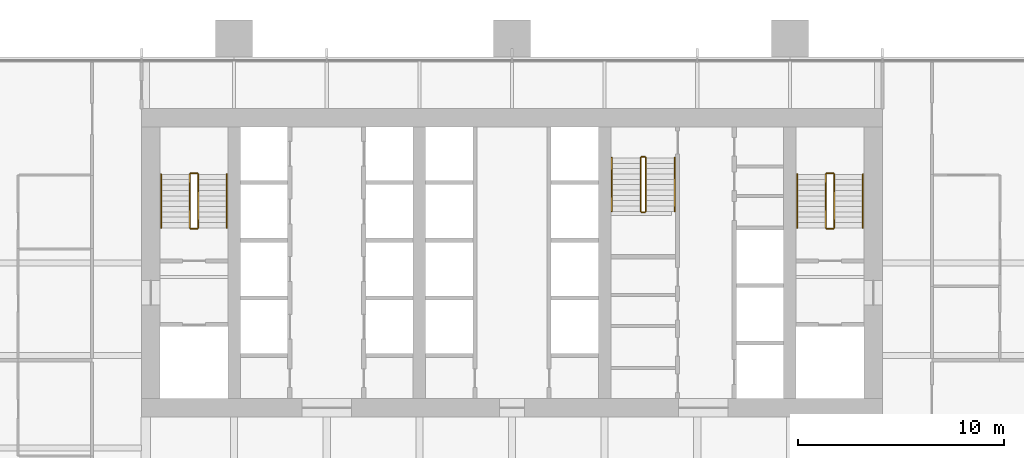
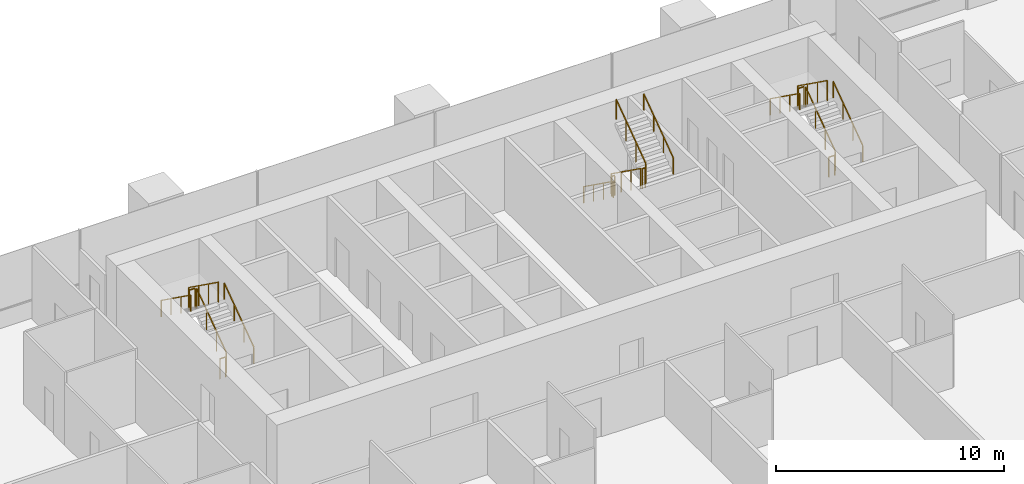
# One storey, part 17 of 17: 18 railings.
"""IFC4 building model written with IfcOpenShell, lengths in metres."""

from ifc_helpers import new_model, si_unit, direction, frame, origin, origin_2d, place, context, subcontext, project, spatial, rectangle, extrude, material, type_object, element, save


model = new_model("IFC4")

# Units and contexts
model_context = context("Model", 3, precision=1e-05, world=origin(), true_north=direction((0.0, 1.0)))
body_context = subcontext(model_context, "Body", "Model", "MODEL_VIEW")
ifc_project = project(units=[si_unit("LENGTHUNIT", "METRE"), si_unit("AREAUNIT", "SQUARE_METRE"), si_unit("VOLUMEUNIT", "CUBIC_METRE"), si_unit("PLANEANGLEUNIT", "RADIAN"), si_unit("MASSUNIT", "GRAM", prefix="KILO")], contexts=[model_context])

# Site, building, storey
site_placement = place(None, origin())
site = spatial("IfcSite", under=ifc_project, at=site_placement, CompositionType="ELEMENT")
building_placement = place(site_placement, origin())
building = spatial("IfcBuilding", under=site, at=building_placement, Name="Rattan Terrace Tower", CompositionType="ELEMENT")
storey_placement = place(building_placement, frame((0.0, 0.0, 61.10009765625)))
storey = spatial("IfcBuildingStorey", under=building, at=storey_placement, Name="L13", CompositionType="ELEMENT", Elevation=61.10009765625)

# Railings
ifc_material_1 = material(Name="Powder-coated steel guard", Category="steel")
railing_type_1 = type_object("IfcRailingType", Name="Core stair guard", PredefinedType="GUARDRAIL", material=ifc_material_1)
railing_1_placement = place(storey_placement, frame((-15.25, 1.699951171875, 0.186279296875)))
element("IfcRailing", 1, at=railing_1_placement, inside=storey, type_object=railing_type_1, Name="L13 S1 stair guard 1", PredefinedType="GUARDRAIL", context=body_context, shape_type="SweptSolid", body=[
    extrude(rectangle(XDim=0.048095703125, YDim=0.048095703125, at=origin_2d()), frame((0.0, 0.0, 1.076171875), z_axis=(0.0, 0.812799059333, 0.582544152102), x_axis=(-1.0, 0.0, 0.0)), (0.0, 0.0, 1.0), 3.198974609375),
    extrude(rectangle(XDim=0.0419921875, YDim=0.0419921875, at=origin_2d()), origin(), (0.0, 0.0, 1.0), 1.052001953125),
    extrude(rectangle(XDim=0.0419921875, YDim=0.0419921875, at=origin_2d()), frame((0.0, 0.86669921875, 0.62109375)), (0.0, 0.0, 1.0), 1.052001953125),
    extrude(rectangle(XDim=0.0419921875, YDim=0.0419921875, at=origin_2d()), frame((0.0, 1.7333984375, 1.242431640625)), (0.0, 0.0, 1.0), 1.052001953125),
    extrude(rectangle(XDim=0.0419921875, YDim=0.0419921875, at=origin_2d()), frame((0.0, 2.60009765625, 1.863525390625)), (0.0, 0.0, 1.0), 1.052001953125),
])
railing_2_placement = place(storey_placement, frame((-15.300048828125, 4.35009765625, 2.0498046875)))
element("IfcRailing", 2, at=railing_2_placement, inside=storey, type_object=railing_type_1, Name="L13 S1 stair guard 2", PredefinedType="GUARDRAIL", context=body_context, shape_type="SweptSolid", body=[
    extrude(rectangle(XDim=0.048095703125, YDim=0.048095703125, at=origin_2d()), frame((0.0, 0.0, 1.076171875), z_axis=(-1.0, 0.0, 0.0), x_axis=(0.0, -1.0, 0.0)), (0.0, 0.0, 1.0), 0.300048828125),
    extrude(rectangle(XDim=0.0419921875, YDim=0.0419921875, at=origin_2d()), origin(), (0.0, 0.0, 1.0), 1.052001953125),
    extrude(rectangle(XDim=0.0419921875, YDim=0.0419921875, at=origin_2d()), frame((-0.300048828125, 0.0, 0.0)), (0.0, 0.0, 1.0), 1.052001953125),
])
railing_3_placement = place(storey_placement, frame((-15.64990234375, 4.300048828125, 2.236328125)))
element("IfcRailing", 3, at=railing_3_placement, inside=storey, type_object=railing_type_1, Name="L13 S1 stair guard 3", PredefinedType="GUARDRAIL", context=body_context, shape_type="SweptSolid", body=[
    extrude(rectangle(XDim=0.048095703125, YDim=0.048095703125, at=origin_2d()), frame((0.0, 0.0, 1.076171875), z_axis=(0.0, -0.812799059333, 0.582544152102), x_axis=(1.0, 0.0, 0.0)), (0.0, 0.0, 1.0), 3.198974609375),
    extrude(rectangle(XDim=0.0419921875, YDim=0.0419921875, at=origin_2d()), origin(), (0.0, 0.0, 1.0), 1.052001953125),
    extrude(rectangle(XDim=0.0419921875, YDim=0.0419921875, at=origin_2d()), frame((0.0, -0.86669921875, 0.62109375)), (0.0, 0.0, 1.0), 1.052001953125),
    extrude(rectangle(XDim=0.0419921875, YDim=0.0419921875, at=origin_2d()), frame((0.0, -1.7333984375, 1.242431640625)), (0.0, 0.0, 1.0), 1.052001953125),
    extrude(rectangle(XDim=0.0419921875, YDim=0.0419921875, at=origin_2d()), frame((0.0, -2.60009765625, 1.863525390625)), (0.0, 0.0, 1.0), 1.052001953125),
])
railing_4_placement = place(storey_placement, frame((-15.300048828125, 1.64990234375, 0.0)))
element("IfcRailing", 4, at=railing_4_placement, inside=storey, type_object=railing_type_1, Name="L13 S1 stair guard 4", PredefinedType="GUARDRAIL", context=body_context, shape_type="SweptSolid", body=[
    extrude(rectangle(XDim=0.048095703125, YDim=0.048095703125, at=origin_2d()), frame((0.0, 0.0, 1.076171875), z_axis=(-1.0, 0.0, 0.0), x_axis=(0.0, -1.0, 0.0)), (0.0, 0.0, 1.0), 0.300048828125),
    extrude(rectangle(XDim=0.0419921875, YDim=0.0419921875, at=origin_2d()), origin(), (0.0, 0.0, 1.0), 1.052001953125),
    extrude(rectangle(XDim=0.0419921875, YDim=0.0419921875, at=origin_2d()), frame((-0.300048828125, 0.0, 0.0)), (0.0, 0.0, 1.0), 1.052001953125),
])
railing_5_placement = place(storey_placement, frame((15.64990234375, 1.699951171875, 0.186279296875)))
element("IfcRailing", 5, at=railing_5_placement, inside=storey, type_object=railing_type_1, Name="L13 S2 stair guard 1", PredefinedType="GUARDRAIL", context=body_context, shape_type="SweptSolid", body=[
    extrude(rectangle(XDim=0.048095703125, YDim=0.048095703125, at=origin_2d()), frame((0.0, 0.0, 1.076171875), z_axis=(0.0, 0.812799059333, 0.582544152102), x_axis=(-1.0, 0.0, 0.0)), (0.0, 0.0, 1.0), 3.198974609375),
    extrude(rectangle(XDim=0.0419921875, YDim=0.0419921875, at=origin_2d()), origin(), (0.0, 0.0, 1.0), 1.052001953125),
    extrude(rectangle(XDim=0.0419921875, YDim=0.0419921875, at=origin_2d()), frame((0.0, 0.86669921875, 0.62109375)), (0.0, 0.0, 1.0), 1.052001953125),
    extrude(rectangle(XDim=0.0419921875, YDim=0.0419921875, at=origin_2d()), frame((0.0, 1.7333984375, 1.242431640625)), (0.0, 0.0, 1.0), 1.052001953125),
    extrude(rectangle(XDim=0.0419921875, YDim=0.0419921875, at=origin_2d()), frame((0.0, 2.60009765625, 1.863525390625)), (0.0, 0.0, 1.0), 1.052001953125),
])
railing_6_placement = place(storey_placement, frame((15.60009765625, 4.35009765625, 2.0498046875)))
element("IfcRailing", 6, at=railing_6_placement, inside=storey, type_object=railing_type_1, Name="L13 S2 stair guard 2", PredefinedType="GUARDRAIL", context=body_context, shape_type="SweptSolid", body=[
    extrude(rectangle(XDim=0.048095703125, YDim=0.048095703125, at=origin_2d()), frame((0.0, 0.0, 1.076171875), z_axis=(-1.0, 0.0, 0.0), x_axis=(0.0, -1.0, 0.0)), (0.0, 0.0, 1.0), 0.300048828125),
    extrude(rectangle(XDim=0.0419921875, YDim=0.0419921875, at=origin_2d()), origin(), (0.0, 0.0, 1.0), 1.052001953125),
    extrude(rectangle(XDim=0.0419921875, YDim=0.0419921875, at=origin_2d()), frame((-0.300048828125, 0.0, 0.0)), (0.0, 0.0, 1.0), 1.052001953125),
])
railing_7_placement = place(storey_placement, frame((15.25, 4.300048828125, 2.236328125)))
element("IfcRailing", 7, at=railing_7_placement, inside=storey, type_object=railing_type_1, Name="L13 S2 stair guard 3", PredefinedType="GUARDRAIL", context=body_context, shape_type="SweptSolid", body=[
    extrude(rectangle(XDim=0.048095703125, YDim=0.048095703125, at=origin_2d()), frame((0.0, 0.0, 1.076171875), z_axis=(0.0, -0.812799059333, 0.582544152102), x_axis=(1.0, 0.0, 0.0)), (0.0, 0.0, 1.0), 3.198974609375),
    extrude(rectangle(XDim=0.0419921875, YDim=0.0419921875, at=origin_2d()), origin(), (0.0, 0.0, 1.0), 1.052001953125),
    extrude(rectangle(XDim=0.0419921875, YDim=0.0419921875, at=origin_2d()), frame((0.0, -0.86669921875, 0.62109375)), (0.0, 0.0, 1.0), 1.052001953125),
    extrude(rectangle(XDim=0.0419921875, YDim=0.0419921875, at=origin_2d()), frame((0.0, -1.7333984375, 1.242431640625)), (0.0, 0.0, 1.0), 1.052001953125),
    extrude(rectangle(XDim=0.0419921875, YDim=0.0419921875, at=origin_2d()), frame((0.0, -2.60009765625, 1.863525390625)), (0.0, 0.0, 1.0), 1.052001953125),
])
railing_8_placement = place(storey_placement, frame((15.60009765625, 1.64990234375, 0.0)))
element("IfcRailing", 8, at=railing_8_placement, inside=storey, type_object=railing_type_1, Name="L13 S2 stair guard 4", PredefinedType="GUARDRAIL", context=body_context, shape_type="SweptSolid", body=[
    extrude(rectangle(XDim=0.048095703125, YDim=0.048095703125, at=origin_2d()), frame((0.0, 0.0, 1.076171875), z_axis=(-1.0, 0.0, 0.0), x_axis=(0.0, -1.0, 0.0)), (0.0, 0.0, 1.0), 0.300048828125),
    extrude(rectangle(XDim=0.0419921875, YDim=0.0419921875, at=origin_2d()), origin(), (0.0, 0.0, 1.0), 1.052001953125),
    extrude(rectangle(XDim=0.0419921875, YDim=0.0419921875, at=origin_2d()), frame((-0.300048828125, 0.0, 0.0)), (0.0, 0.0, 1.0), 1.052001953125),
])
railing_9_placement = place(storey_placement, frame((6.25, 5.10009765625, 0.186279296875)))
element("IfcRailing", 9, at=railing_9_placement, inside=storey, type_object=railing_type_1, Name="L13 S3 stair guard 1", PredefinedType="GUARDRAIL", context=body_context, shape_type="SweptSolid", body=[
    extrude(rectangle(XDim=0.048095703125, YDim=0.048095703125, at=origin_2d()), frame((0.0, 0.0, 1.076171875), z_axis=(0.0, -0.812799059333, 0.582544152102), x_axis=(1.0, 0.0, 0.0)), (0.0, 0.0, 1.0), 3.198974609375),
    extrude(rectangle(XDim=0.0419921875, YDim=0.0419921875, at=origin_2d()), origin(), (0.0, 0.0, 1.0), 1.052001953125),
    extrude(rectangle(XDim=0.0419921875, YDim=0.0419921875, at=origin_2d()), frame((0.0, -0.86669921875, 0.62109375)), (0.0, 0.0, 1.0), 1.052001953125),
    extrude(rectangle(XDim=0.0419921875, YDim=0.0419921875, at=origin_2d()), frame((0.0, -1.7333984375, 1.242431640625)), (0.0, 0.0, 1.0), 1.052001953125),
    extrude(rectangle(XDim=0.0419921875, YDim=0.0419921875, at=origin_2d()), frame((0.0, -2.60009765625, 1.863525390625)), (0.0, 0.0, 1.0), 1.052001953125),
])
railing_10_placement = place(storey_placement, frame((6.300048828125, 2.449951171875, 2.0498046875)))
element("IfcRailing", 10, at=railing_10_placement, inside=storey, type_object=railing_type_1, Name="L13 S3 stair guard 2", PredefinedType="GUARDRAIL", context=body_context, shape_type="SweptSolid", body=[
    extrude(rectangle(XDim=0.048095703125, YDim=0.048095703125, at=origin_2d()), frame((0.0, 0.0, 1.076171875), z_axis=(1.0, 0.0, 0.0), x_axis=(0.0, 1.0, 0.0)), (0.0, 0.0, 1.0), 0.14990234375),
    extrude(rectangle(XDim=0.0419921875, YDim=0.0419921875, at=origin_2d()), origin(), (0.0, 0.0, 1.0), 1.052001953125),
    extrude(rectangle(XDim=0.0419921875, YDim=0.0419921875, at=origin_2d()), frame((0.14990234375, 0.0, 0.0)), (0.0, 0.0, 1.0), 1.052001953125),
])
railing_11_placement = place(storey_placement, frame((6.5, 2.5, 2.236328125)))
element("IfcRailing", 11, at=railing_11_placement, inside=storey, type_object=railing_type_1, Name="L13 S3 stair guard 3", PredefinedType="GUARDRAIL", context=body_context, shape_type="SweptSolid", body=[
    extrude(rectangle(XDim=0.048095703125, YDim=0.048095703125, at=origin_2d()), frame((0.0, 0.0, 1.076171875), z_axis=(0.0, 0.812799059333, 0.582544152102), x_axis=(-1.0, 0.0, 0.0)), (0.0, 0.0, 1.0), 3.198974609375),
    extrude(rectangle(XDim=0.0419921875, YDim=0.0419921875, at=origin_2d()), origin(), (0.0, 0.0, 1.0), 1.052001953125),
    extrude(rectangle(XDim=0.0419921875, YDim=0.0419921875, at=origin_2d()), frame((0.0, 0.86669921875, 0.62109375)), (0.0, 0.0, 1.0), 1.052001953125),
    extrude(rectangle(XDim=0.0419921875, YDim=0.0419921875, at=origin_2d()), frame((0.0, 1.7333984375, 1.242431640625)), (0.0, 0.0, 1.0), 1.052001953125),
    extrude(rectangle(XDim=0.0419921875, YDim=0.0419921875, at=origin_2d()), frame((0.0, 2.60009765625, 1.863525390625)), (0.0, 0.0, 1.0), 1.052001953125),
])
railing_12_placement = place(storey_placement, frame((6.300048828125, 5.14990234375, 0.0)))
element("IfcRailing", 12, at=railing_12_placement, inside=storey, type_object=railing_type_1, Name="L13 S3 stair guard 4", PredefinedType="GUARDRAIL", context=body_context, shape_type="SweptSolid", body=[
    extrude(rectangle(XDim=0.048095703125, YDim=0.048095703125, at=origin_2d()), frame((0.0, 0.0, 1.076171875), z_axis=(1.0, 0.0, 0.0), x_axis=(0.0, 1.0, 0.0)), (0.0, 0.0, 1.0), 0.14990234375),
    extrude(rectangle(XDim=0.0419921875, YDim=0.0419921875, at=origin_2d()), origin(), (0.0, 0.0, 1.0), 1.052001953125),
    extrude(rectangle(XDim=0.0419921875, YDim=0.0419921875, at=origin_2d()), frame((0.14990234375, 0.0, 0.0)), (0.0, 0.0, 1.0), 1.052001953125),
])
ifc_material_2 = material(Name="Powder-coated steel handrail", Category="steel")
railing_type_2 = type_object("IfcRailingType", Name="Core stair handrail", PredefinedType="HANDRAIL", material=ifc_material_2)
railing_13_placement = place(storey_placement, frame((-13.85009765625, 1.699951171875, 0.186279296875)))
element("IfcRailing", 13, at=railing_13_placement, inside=storey, type_object=railing_type_2, Name="L13 S1 stair handrail 1", PredefinedType="HANDRAIL", context=body_context, shape_type="SweptSolid", body=[
    extrude(rectangle(XDim=0.048095703125, YDim=0.048095703125, at=origin_2d()), frame((0.0, 0.0, 0.8759765625), z_axis=(0.0, 0.812799059333, 0.582544152102), x_axis=(-1.0, 0.0, 0.0)), (0.0, 0.0, 1.0), 3.198974609375),
    extrude(rectangle(XDim=0.0419921875, YDim=0.0419921875, at=origin_2d()), origin(), (0.0, 0.0, 1.0), 0.851806640625),
    extrude(rectangle(XDim=0.0419921875, YDim=0.0419921875, at=origin_2d()), frame((0.0, 0.86669921875, 0.62109375)), (0.0, 0.0, 1.0), 0.851806640625),
    extrude(rectangle(XDim=0.0419921875, YDim=0.0419921875, at=origin_2d()), frame((0.0, 1.7333984375, 1.242431640625)), (0.0, 0.0, 1.0), 0.851806640625),
    extrude(rectangle(XDim=0.0419921875, YDim=0.0419921875, at=origin_2d()), frame((0.0, 2.60009765625, 1.863525390625)), (0.0, 0.0, 1.0), 0.851806640625),
])
railing_14_placement = place(storey_placement, frame((-17.050048828125, 4.300048828125, 2.236328125)))
element("IfcRailing", 14, at=railing_14_placement, inside=storey, type_object=railing_type_2, Name="L13 S1 stair handrail 2", PredefinedType="HANDRAIL", context=body_context, shape_type="SweptSolid", body=[
    extrude(rectangle(XDim=0.048095703125, YDim=0.048095703125, at=origin_2d()), frame((0.0, 0.0, 0.8759765625), z_axis=(0.0, -0.812799059333, 0.582544152102), x_axis=(1.0, 0.0, 0.0)), (0.0, 0.0, 1.0), 3.198974609375),
    extrude(rectangle(XDim=0.0419921875, YDim=0.0419921875, at=origin_2d()), origin(), (0.0, 0.0, 1.0), 0.851806640625),
    extrude(rectangle(XDim=0.0419921875, YDim=0.0419921875, at=origin_2d()), frame((0.0, -0.86669921875, 0.62109375)), (0.0, 0.0, 1.0), 0.851806640625),
    extrude(rectangle(XDim=0.0419921875, YDim=0.0419921875, at=origin_2d()), frame((0.0, -1.7333984375, 1.242431640625)), (0.0, 0.0, 1.0), 0.851806640625),
    extrude(rectangle(XDim=0.0419921875, YDim=0.0419921875, at=origin_2d()), frame((0.0, -2.60009765625, 1.863525390625)), (0.0, 0.0, 1.0), 0.851806640625),
])
railing_15_placement = place(storey_placement, frame((17.050048828125, 1.699951171875, 0.186279296875)))
element("IfcRailing", 15, at=railing_15_placement, inside=storey, type_object=railing_type_2, Name="L13 S2 stair handrail 1", PredefinedType="HANDRAIL", context=body_context, shape_type="SweptSolid", body=[
    extrude(rectangle(XDim=0.048095703125, YDim=0.048095703125, at=origin_2d()), frame((0.0, 0.0, 0.8759765625), z_axis=(0.0, 0.812799059333, 0.582544152102), x_axis=(-1.0, 0.0, 0.0)), (0.0, 0.0, 1.0), 3.198974609375),
    extrude(rectangle(XDim=0.0419921875, YDim=0.0419921875, at=origin_2d()), origin(), (0.0, 0.0, 1.0), 0.851806640625),
    extrude(rectangle(XDim=0.0419921875, YDim=0.0419921875, at=origin_2d()), frame((0.0, 0.86669921875, 0.62109375)), (0.0, 0.0, 1.0), 0.851806640625),
    extrude(rectangle(XDim=0.0419921875, YDim=0.0419921875, at=origin_2d()), frame((0.0, 1.7333984375, 1.242431640625)), (0.0, 0.0, 1.0), 0.851806640625),
    extrude(rectangle(XDim=0.0419921875, YDim=0.0419921875, at=origin_2d()), frame((0.0, 2.60009765625, 1.863525390625)), (0.0, 0.0, 1.0), 0.851806640625),
])
for number, where, name in (
    (16, (13.85009765625, 4.300048828125, 2.236328125), "L13 S2 stair handrail 2"),
    (17, (4.85009765625, 5.10009765625, 0.186279296875), "L13 S3 stair handrail 1"),
):
    element("IfcRailing", number, at=place(storey_placement, frame(where)), inside=storey, type_object=railing_type_2, Name=name, PredefinedType="HANDRAIL", context=body_context, shape_type="SweptSolid", body=[
        extrude(rectangle(XDim=0.048095703125, YDim=0.048095703125, at=origin_2d()), frame((0.0, 0.0, 0.8759765625), z_axis=(0.0, -0.812799059333, 0.582544152102), x_axis=(1.0, 0.0, 0.0)), (0.0, 0.0, 1.0), 3.198974609375),
        extrude(rectangle(XDim=0.0419921875, YDim=0.0419921875, at=origin_2d()), origin(), (0.0, 0.0, 1.0), 0.851806640625),
        extrude(rectangle(XDim=0.0419921875, YDim=0.0419921875, at=origin_2d()), frame((0.0, -0.86669921875, 0.62109375)), (0.0, 0.0, 1.0), 0.851806640625),
        extrude(rectangle(XDim=0.0419921875, YDim=0.0419921875, at=origin_2d()), frame((0.0, -1.7333984375, 1.242431640625)), (0.0, 0.0, 1.0), 0.851806640625),
        extrude(rectangle(XDim=0.0419921875, YDim=0.0419921875, at=origin_2d()), frame((0.0, -2.60009765625, 1.863525390625)), (0.0, 0.0, 1.0), 0.851806640625),
    ])
railing_16_placement = place(storey_placement, frame((7.89990234375, 2.5, 2.236328125)))
element("IfcRailing", 18, at=railing_16_placement, inside=storey, type_object=railing_type_2, Name="L13 S3 stair handrail 2", PredefinedType="HANDRAIL", context=body_context, shape_type="SweptSolid", body=[
    extrude(rectangle(XDim=0.048095703125, YDim=0.048095703125, at=origin_2d()), frame((0.0, 0.0, 0.8759765625), z_axis=(0.0, 0.812799059333, 0.582544152102), x_axis=(-1.0, 0.0, 0.0)), (0.0, 0.0, 1.0), 3.198974609375),
    extrude(rectangle(XDim=0.0419921875, YDim=0.0419921875, at=origin_2d()), origin(), (0.0, 0.0, 1.0), 0.851806640625),
    extrude(rectangle(XDim=0.0419921875, YDim=0.0419921875, at=origin_2d()), frame((0.0, 0.86669921875, 0.62109375)), (0.0, 0.0, 1.0), 0.851806640625),
    extrude(rectangle(XDim=0.0419921875, YDim=0.0419921875, at=origin_2d()), frame((0.0, 1.7333984375, 1.242431640625)), (0.0, 0.0, 1.0), 0.851806640625),
    extrude(rectangle(XDim=0.0419921875, YDim=0.0419921875, at=origin_2d()), frame((0.0, 2.60009765625, 1.863525390625)), (0.0, 0.0, 1.0), 0.851806640625),
])

save(model, "model.ifc")
